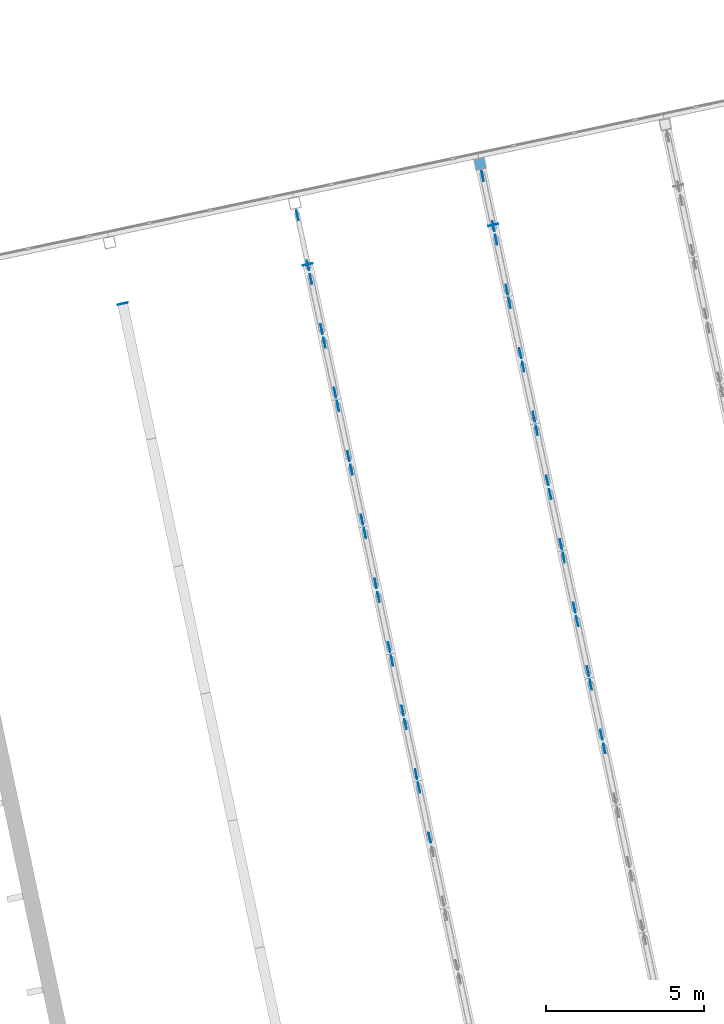
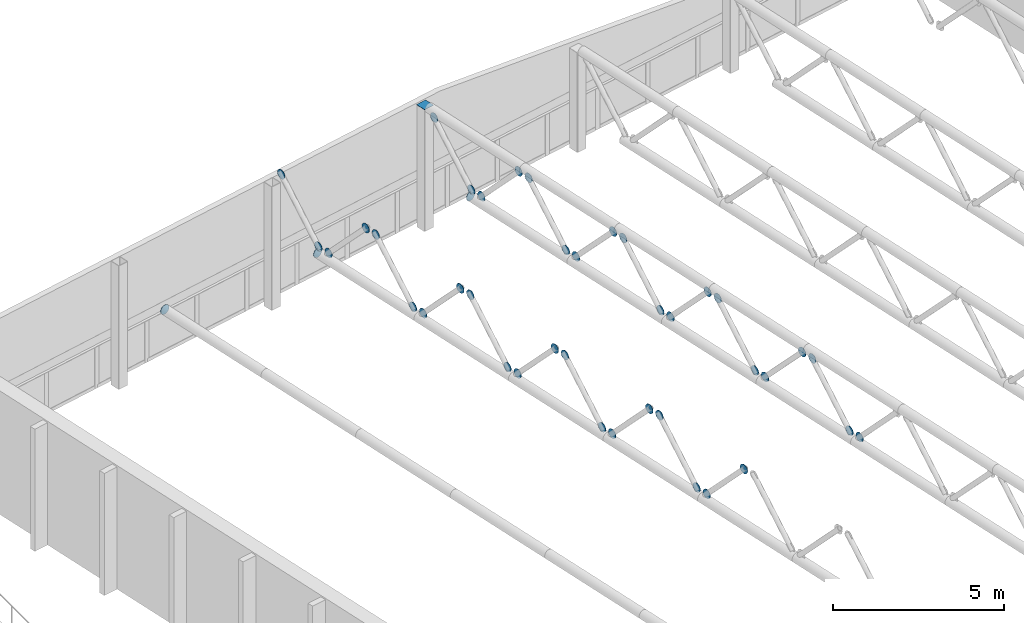
# One storey, part 45 of 58: 43 discrete accessories.
"""IFC4 building model written with IfcOpenShell, lengths in metres."""

from ifc_helpers import new_model, si_unit, direction, frame, origin, origin_2d, place, context, subcontext, project, spatial, rectangle, circle, extrude, material, layer, layer_set, type_object, element, save


model = new_model("IFC4")

# Units and contexts
model_context = context("Model", 3, precision=1e-05, world=origin(), true_north=direction((0.0, 1.0)))
body_context = subcontext(model_context, "Body", "Model", "MODEL_VIEW")
ifc_project = project(units=[si_unit("LENGTHUNIT", "METRE"), si_unit("AREAUNIT", "SQUARE_METRE"), si_unit("VOLUMEUNIT", "CUBIC_METRE"), si_unit("PLANEANGLEUNIT", "RADIAN"), si_unit("MASSUNIT", "GRAM", prefix="KILO")], contexts=[model_context])

# Site, building, storey
site_placement = place(None, origin())
site = spatial("IfcSite", under=ifc_project, at=site_placement, CompositionType="ELEMENT")
building_placement = place(site_placement, origin())
building = spatial("IfcBuilding", under=site, at=building_placement, Name="Windward Yard Aquatics Centre", CompositionType="ELEMENT")
storey_placement = place(building_placement, frame((0.0, 0.0, 13.800048828125)))
storey = spatial("IfcBuildingStorey", under=building, at=storey_placement, Name="L03", CompositionType="ELEMENT", Elevation=13.800048828125)

# Discrete accessories
ifc_material = material(Name="Steel S355", Category="steel")
ifc_layer_1 = layer(ifc_material, 0.010009765625)
ifc_layer_set_1 = layer_set([ifc_layer_1], Name="End cap plate 10 mm CHS323.9x12.7")
discrete_accessory_type_1 = type_object("IfcDiscreteAccessoryType", Name="End cap plate 10 mm CHS323.9x12.7", PredefinedType="USERDEFINED", material=ifc_layer_set_1)
for number, where, z_axis, x_axis, name in (
    (1, (169.080810546875, 75.103759765625, 2.925537109375), (-0.219512195122, 0.975609756098, 0.0), (-0.975609756098, -0.219512195122, 0.0), "End cap"),
    (2, (174.94970703125, 76.35107421875, 2.13623046875), (-0.219512195122, 0.975609756098, 0.0), (-0.975609756098, -0.219512195122, 0.0), "End cap"),
    (3, (163.2119140625, 73.856201171875, 3.715087890625), (-0.219512195122, 0.975609756098, 0.0), (-0.975609756098, -0.219512195122, 0.0), "End cap"),
):
    element("IfcDiscreteAccessory", number, at=place(storey_placement, frame(where, z_axis=z_axis, x_axis=x_axis)), inside=storey, type_object=discrete_accessory_type_1, Name=name, ObjectType="END CAP", PredefinedType="USERDEFINED", context=body_context, shape_type="SweptSolid", body=[
        extrude(circle(Radius=0.161865234375, at=origin_2d()), origin(), (0.0, 0.0, 1.0), 0.010009765625),
    ])
ifc_layer_2 = layer(ifc_material, 0.010009765625)
ifc_layer_set_2 = layer_set([ifc_layer_2], Name="End cap plate 10 mm RHS355.6x355.6x15.9")
discrete_accessory_type_2 = type_object("IfcDiscreteAccessoryType", Name="End cap plate 10 mm RHS355.6x355.6x15.9", PredefinedType="USERDEFINED", material=ifc_layer_set_2)
discrete_accessory_1_placement = place(storey_placement, frame((174.5361328125, 78.2958984375, 4.336181640625), z_axis=(0.0, 0.0, 1.0), x_axis=(0.978147600734, 0.207911690818, 0.0)))
element("IfcDiscreteAccessory", 4, at=discrete_accessory_1_placement, inside=storey, type_object=discrete_accessory_type_2, Name="End cap", ObjectType="END CAP", PredefinedType="USERDEFINED", context=body_context, shape_type="SweptSolid", body=[
    extrude(rectangle(XDim=0.355712890625, YDim=0.355712890625, at=origin_2d()), origin(), (0.0, 0.0, 1.0), 0.010009765625),
])
ifc_layer_3 = layer(ifc_material, 0.011962890625)
ifc_layer_set_3 = layer_set([ifc_layer_3], Name="Gusset plate 320 mm disc 12 mm, roof frames")
discrete_accessory_type_3 = type_object("IfcDiscreteAccessoryType", Name="Gusset plate 320 mm disc 12 mm, roof frames", PredefinedType="USERDEFINED", material=ifc_layer_set_3)
for number, where, z_axis, x_axis, name in (
    (5, (172.936279296875, 56.93603515625, 4.890625), (0.974732318528, 0.223376156329, 0.0), (-0.223376156329, 0.974732318528, 0.0), "Gusset plate"),
    (6, (172.599365234375, 58.520751953125, 3.16064453125), (0.978980419738, 0.203954254112, 0.0), (-0.203954254112, 0.978980419738, 0.0), "Gusset plate"),
    (7, (172.171142578125, 60.535888671875, 4.890625), (0.974732318528, 0.223376156329, 0.0), (-0.223376156329, 0.974732318528, 0.0), "Gusset plate"),
    (8, (172.5078125, 58.951416015625, 3.16064453125), (0.978980419738, 0.203954254112, 0.0), (-0.203954254112, 0.978980419738, 0.0), "Gusset plate"),
    (9, (172.07958984375, 60.966552734375, 4.890625), (0.978980419738, 0.203954254112, 0.0), (-0.203954254112, 0.978980419738, 0.0), "Gusset plate"),
    (10, (171.74267578125, 62.55126953125, 3.16064453125), (0.978980419738, 0.203954254112, 0.0), (-0.203954254112, 0.978980419738, 0.0), "Gusset plate"),
    (11, (171.314453125, 64.56640625, 4.890625), (0.974732318528, 0.223376156329, 0.0), (-0.223376156329, 0.974732318528, 0.0), "Gusset plate"),
    (12, (171.651123046875, 62.981689453125, 3.16064453125), (0.974732318528, 0.223376156329, 0.0), (-0.223376156329, 0.974732318528, 0.0), "Gusset plate"),
    (13, (171.222900390625, 64.9970703125, 4.890625), (0.978980419738, 0.203954254112, 0.0), (-0.203954254112, 0.978980419738, 0.0), "Gusset plate"),
    (14, (170.885986328125, 66.581787109375, 3.16064453125), (0.978980419738, 0.203954254112, 0.0), (-0.203954254112, 0.978980419738, 0.0), "Gusset plate"),
):
    element("IfcDiscreteAccessory", number, at=place(storey_placement, frame(where, z_axis=z_axis, x_axis=x_axis)), inside=storey, type_object=discrete_accessory_type_3, Name=name, ObjectType="GUSSET PLATE", PredefinedType="USERDEFINED", context=body_context, shape_type="SweptSolid", body=[
        extrude(circle(Radius=0.159912109375, at=origin_2d()), origin(), (0.0, 0.0, 1.0), 0.011962890625),
    ])
discrete_accessory_2_placement = place(storey_placement, frame((170.45751953125, 68.596923828125, 4.890625), z_axis=(0.975716252094, 0.219038342307, 0.0), x_axis=(-0.219038342307, 0.975716252094, 0.0)))
element("IfcDiscreteAccessory", 15, at=discrete_accessory_2_placement, inside=storey, type_object=discrete_accessory_type_3, Name="Gusset plate", ObjectType="GUSSET PLATE", PredefinedType="USERDEFINED", context=body_context, shape_type="SweptSolid", body=[
    extrude(circle(Radius=0.159912109375, at=origin_2d()), origin(), (0.0, 0.0, 1.0), 0.01220703125),
])
for number, where, z_axis, x_axis, name in (
    (16, (170.79443359375, 67.01220703125, 3.16064453125), (0.978980419738, 0.203954254112, 0.0), (-0.203954254112, 0.978980419738, 0.0), "Gusset plate"),
    (17, (170.3662109375, 69.02734375, 4.890625), (0.974732318528, 0.223376156329, 0.0), (-0.223376156329, 0.974732318528, 0.0), "Gusset plate"),
    (18, (170.029296875, 70.6123046875, 3.16064453125), (0.978980419738, 0.203954254112, 0.0), (-0.203954254112, 0.978980419738, 0.0), "Gusset plate"),
):
    element("IfcDiscreteAccessory", number, at=place(storey_placement, frame(where, z_axis=z_axis, x_axis=x_axis)), inside=storey, type_object=discrete_accessory_type_3, Name=name, ObjectType="GUSSET PLATE", PredefinedType="USERDEFINED", context=body_context, shape_type="SweptSolid", body=[
        extrude(circle(Radius=0.159912109375, at=origin_2d()), origin(), (0.0, 0.0, 1.0), 0.011962890625),
    ])
discrete_accessory_3_placement = place(storey_placement, frame((169.600830078125, 72.62744140625, 4.890625), z_axis=(0.97980405878, 0.199960011996, 0.0), x_axis=(-0.199960011996, 0.97980405878, 0.0)))
element("IfcDiscreteAccessory", 19, at=discrete_accessory_3_placement, inside=storey, type_object=discrete_accessory_type_3, Name="Gusset plate", ObjectType="GUSSET PLATE", PredefinedType="USERDEFINED", context=body_context, shape_type="SweptSolid", body=[
    extrude(circle(Radius=0.159912109375, at=origin_2d()), origin(), (0.0, 0.0, 1.0), 0.01220703125),
])
for number, where, z_axis, x_axis, name in (
    (20, (169.937744140625, 71.042724609375, 3.16064453125), (0.978980419738, 0.203954254112, 0.0), (-0.203954254112, 0.978980419738, 0.0), "Gusset plate"),
    (21, (169.509521484375, 73.057861328125, 4.890625), (0.978980419738, 0.203954254112, 0.0), (-0.203954254112, 0.978980419738, 0.0), "Gusset plate"),
    (22, (169.172607421875, 74.642578125, 3.16064453125), (0.978980419738, 0.203954254112, 0.0), (-0.203954254112, 0.978980419738, 0.0), "Gusset plate"),
    (23, (168.744140625, 76.657958984375, 4.890625), (0.978980419738, 0.203954254112, 0.0), (-0.203954254112, 0.978980419738, 0.0), "Gusset plate"),
    (24, (169.0810546875, 75.072998046875, 3.16064453125), (0.974732318528, 0.223376156329, 0.0), (-0.223376156329, 0.974732318528, 0.0), "Gusset plate"),
    (25, (178.46826171875, 59.768310546875, 2.371337890625), (0.978980419738, 0.203954254112, 0.0), (-0.203954254112, 0.978980419738, 0.0), "Gusset plate"),
    (26, (178.039794921875, 61.783447265625, 4.101318359375), (0.978980419738, 0.203954254112, 0.0), (-0.203954254112, 0.978980419738, 0.0), "Gusset plate"),
    (27, (178.376708984375, 60.19873046875, 2.371337890625), (0.974732318528, 0.223376156329, 0.0), (-0.223376156329, 0.974732318528, 0.0), "Gusset plate"),
    (28, (177.948486328125, 62.214111328125, 4.101318359375), (0.978980419738, 0.203954254112, 0.0), (-0.203954254112, 0.978980419738, 0.0), "Gusset plate"),
    (29, (177.611572265625, 63.798583984375, 2.371337890625), (0.974732318528, 0.223376156329, 0.0), (-0.223376156329, 0.974732318528, 0.0), "Gusset plate"),
    (30, (177.18310546875, 65.81396484375, 4.101318359375), (0.978980419738, 0.203954254112, 0.0), (-0.203954254112, 0.978980419738, 0.0), "Gusset plate"),
    (31, (177.52001953125, 64.229248046875, 2.371337890625), (0.978980419738, 0.203954254112, 0.0), (-0.203954254112, 0.978980419738, 0.0), "Gusset plate"),
    (32, (177.091796875, 66.24462890625, 4.101318359375), (0.978980419738, 0.203954254112, 0.0), (-0.203954254112, 0.978980419738, 0.0), "Gusset plate"),
    (33, (176.7548828125, 67.8291015625, 2.371337890625), (0.974732318528, 0.223376156329, 0.0), (-0.223376156329, 0.974732318528, 0.0), "Gusset plate"),
    (34, (176.326416015625, 69.844482421875, 4.101318359375), (0.978980419738, 0.203954254112, 0.0), (-0.203954254112, 0.978980419738, 0.0), "Gusset plate"),
    (35, (176.663330078125, 68.259765625, 2.371337890625), (0.978980419738, 0.203954254112, 0.0), (-0.203954254112, 0.978980419738, 0.0), "Gusset plate"),
    (36, (176.235107421875, 70.27490234375, 4.101318359375), (0.978980419738, 0.203954254112, 0.0), (-0.203954254112, 0.978980419738, 0.0), "Gusset plate"),
    (37, (175.898193359375, 71.859619140625, 2.371337890625), (0.978980419738, 0.203954254112, 0.0), (-0.203954254112, 0.978980419738, 0.0), "Gusset plate"),
    (38, (175.4697265625, 73.875, 4.101318359375), (0.978980419738, 0.203954254112, 0.0), (-0.203954254112, 0.978980419738, 0.0), "Gusset plate"),
    (39, (175.806640625, 72.2900390625, 2.371337890625), (0.974732318528, 0.223376156329, 0.0), (-0.223376156329, 0.974732318528, 0.0), "Gusset plate"),
    (40, (175.37841796875, 74.305419921875, 4.101318359375), (0.978980419738, 0.203954254112, 0.0), (-0.203954254112, 0.978980419738, 0.0), "Gusset plate"),
    (41, (175.04150390625, 75.89013671875, 2.371337890625), (0.978980419738, 0.203954254112, 0.0), (-0.203954254112, 0.978980419738, 0.0), "Gusset plate"),
    (42, (174.613037109375, 77.9052734375, 4.101318359375), (0.978980419738, 0.203954254112, 0.0), (-0.203954254112, 0.978980419738, 0.0), "Gusset plate"),
    (43, (174.949951171875, 76.320556640625, 2.371337890625), (0.978980419738, 0.203954254112, 0.0), (-0.203954254112, 0.978980419738, 0.0), "Gusset plate"),
):
    element("IfcDiscreteAccessory", number, at=place(storey_placement, frame(where, z_axis=z_axis, x_axis=x_axis)), inside=storey, type_object=discrete_accessory_type_3, Name=name, ObjectType="GUSSET PLATE", PredefinedType="USERDEFINED", context=body_context, shape_type="SweptSolid", body=[
        extrude(circle(Radius=0.159912109375, at=origin_2d()), origin(), (0.0, 0.0, 1.0), 0.011962890625),
    ])

save(model, "model.ifc")
